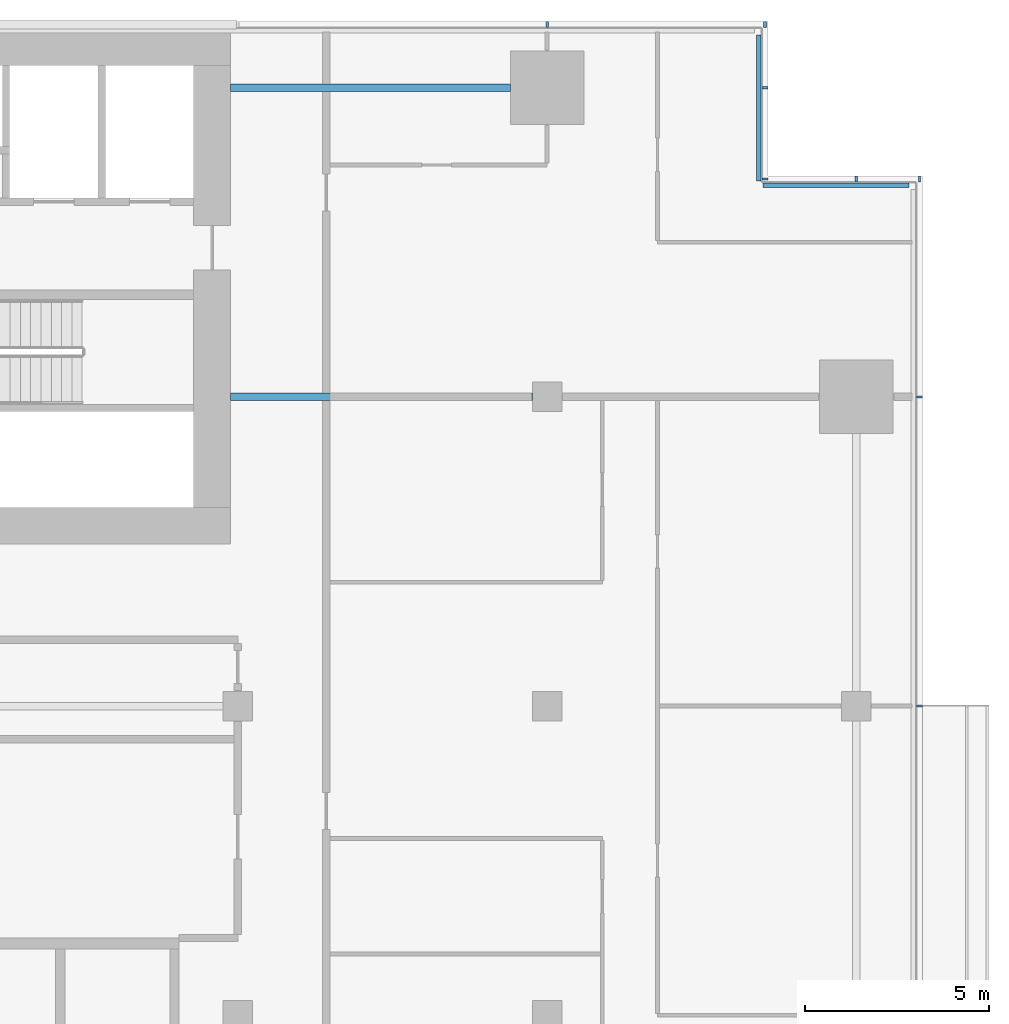
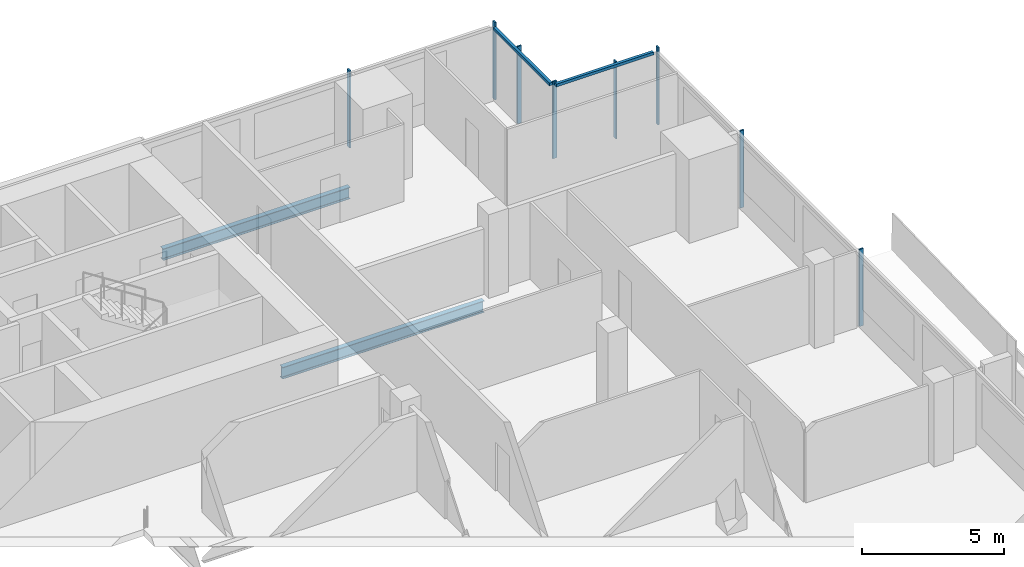
# One storey, part 14 of 27: 10 members, 2 beams, 4 elements without a shape of their own.
"""IFC4 building model written with IfcOpenShell, lengths in metres."""

from ifc_helpers import new_model, si_unit, direction, frame, origin, origin_2d, place, context, subcontext, project, spatial, rectangle, i_section, extrude, material, material_profile, profile_set, type_object, element, aggregate, save


model = new_model("IFC4")

# Units and contexts
model_context = context("Model", 3, precision=1e-05, world=origin(), true_north=direction((0.0, 1.0)))
body_context = subcontext(model_context, "Body", "Model", "MODEL_VIEW")
ifc_project = project(units=[si_unit("LENGTHUNIT", "METRE"), si_unit("AREAUNIT", "SQUARE_METRE"), si_unit("VOLUMEUNIT", "CUBIC_METRE"), si_unit("PLANEANGLEUNIT", "RADIAN"), si_unit("MASSUNIT", "GRAM", prefix="KILO")], contexts=[model_context])

# Site, building, storey
site_placement = place(None, origin())
site = spatial("IfcSite", under=ifc_project, at=site_placement, CompositionType="ELEMENT")
building_placement = place(site_placement, origin())
building = spatial("IfcBuilding", under=site, at=building_placement, Name="Saffron Gate Tower", CompositionType="ELEMENT")
storey_placement = place(building_placement, frame((0.0, 0.0, 109.64990234375)))
storey = spatial("IfcBuildingStorey", under=building, at=storey_placement, Name="L25", CompositionType="ELEMENT", Elevation=109.64990234375)

# Beams
ifc_material_1 = material(Name="Structural steel S355", Category="steel")
ifc_material_profile_1 = material_profile(ifc_material_1, i_section(OverallWidth=0.199951171875, OverallDepth=0.5, WebThickness=0.01025390625, FlangeThickness=0.01611328125, FilletRadius=0.02099609375, at=origin_2d()))
ifc_profile_set_1 = profile_set([ifc_material_profile_1], Name="Structural steel S355")
beam_type = type_object("IfcBeamType", Name="B10 IPE 500", PredefinedType="BEAM", material=ifc_profile_set_1)
beam_1_placement = place(storey_placement, frame((116.60009765625, 65.39990234375, -0.52978515625), z_axis=(-1.0, 0.0, 0.0), x_axis=(0.0, -1.0, 0.0)))
element("IfcBeam", 1, at=beam_1_placement, inside=storey, type_object=beam_type, Name="B10 CORE TIE BEAM", PredefinedType="BEAM", context=body_context, shape_type="SweptSolid", body=[
    extrude(i_section(OverallWidth=0.199951171875, OverallDepth=0.5, WebThickness=0.01025390625, FlangeThickness=0.01611328125, FilletRadius=0.02099609375, at=origin_2d()), origin(), (0.0, 0.0, 1.0), 8.2001953125),
])
beam_2_placement = place(storey_placement, frame((116.0, 73.800048828125, -0.52978515625), z_axis=(-1.0, 0.0, 0.0), x_axis=(0.0, -1.0, 0.0)))
element("IfcBeam", 2, at=beam_2_placement, inside=storey, type_object=beam_type, Name="B10 CORE TIE BEAM", PredefinedType="BEAM", context=body_context, shape_type="SweptSolid", body=[
    extrude(i_section(OverallWidth=0.199951171875, OverallDepth=0.5, WebThickness=0.01025390625, FlangeThickness=0.01611328125, FilletRadius=0.02099609375, at=origin_2d()), origin(), (0.0, 0.0, 1.0), 7.60009765625),
])

# Curtain wall, members
ifc_material_2 = material(Name="Aluminium, bronze anodised", Category="aluminium")
curtain_wall_type_1 = type_object("IfcCurtainWallType", Name="CWS2 curtain wall side facades", PredefinedType="NOTDEFINED", material=ifc_material_2)
curtain_wall_1_placement = place(storey_placement, origin())
curtain_wall_1 = element("IfcCurtainWall", 3, at=curtain_wall_1_placement, inside=storey, type_object=curtain_wall_type_1, Name="CWS2 run 4", PredefinedType="NOTDEFINED")
ifc_material_profile_2 = material_profile(ifc_material_2, rectangle(XDim=0.159912109375, YDim=0.06005859375, at=origin_2d()))
ifc_profile_set_2 = profile_set([ifc_material_profile_2], Name="Aluminium, bronze anodised")
member_type_1 = type_object("IfcMemberType", Name="CWS2 mullion 60x160", PredefinedType="MULLION", material=ifc_profile_set_2)
member_1_placement = place(storey_placement, frame((127.1201171875, 57.0, 0.0), z_axis=(0.0, 0.0, 1.0), x_axis=(-1.0, 0.0, 0.0)))
member_1 = element("IfcMember", 4, at=member_1_placement, type_object=member_type_1, Name="CWS2 mullion 4", PredefinedType="MULLION", context=body_context, shape_type="SweptSolid", body=[
    extrude(rectangle(XDim=0.159912109375, YDim=0.06005859375, at=origin_2d()), origin(), (0.0, 0.0, 1.0), 3.320068359375),
])
member_2_placement = place(storey_placement, frame((127.1201171875, 65.39990234375, 0.0), z_axis=(0.0, 0.0, 1.0), x_axis=(-1.0, 0.0, 0.0)))
member_2 = element("IfcMember", 5, at=member_2_placement, type_object=member_type_1, Name="CWS2 mullion 5", PredefinedType="MULLION", context=body_context, shape_type="SweptSolid", body=[
    extrude(rectangle(XDim=0.159912109375, YDim=0.06005859375, at=origin_2d()), origin(), (0.0, 0.0, 1.0), 3.320068359375),
])
aggregate(curtain_wall_1, [member_1, member_2])

curtain_wall_type_2 = type_object("IfcCurtainWallType", Name="CWS3 curtain wall rear facade", PredefinedType="NOTDEFINED", material=ifc_material_2)
curtain_wall_2_placement = place(storey_placement, origin())
curtain_wall_2 = element("IfcCurtainWall", 6, at=curtain_wall_2_placement, inside=storey, type_object=curtain_wall_type_2, Name="CWS3 run 7", PredefinedType="NOTDEFINED")
ifc_material_profile_3 = material_profile(ifc_material_2, rectangle(XDim=0.159912109375, YDim=0.070068359375, at=origin_2d()))
ifc_profile_set_3 = profile_set([ifc_material_profile_3], Name="Aluminium, bronze anodised")
member_type_2 = type_object("IfcMemberType", Name="CWS3 mullion 70x160", PredefinedType="MULLION", material=ifc_profile_set_3)
member_3_placement = place(storey_placement, frame((122.919921875, 75.52001953125, 0.0), z_axis=(0.0, 0.0, 1.0), x_axis=(0.0, -1.0, 0.0)))
member_3 = element("IfcMember", 7, at=member_3_placement, type_object=member_type_2, Name="CWS3 mullion 1", PredefinedType="MULLION", context=body_context, shape_type="SweptSolid", body=[
    extrude(rectangle(XDim=0.159912109375, YDim=0.070068359375, at=origin_2d()), origin(), (0.0, 0.0, 1.0), 3.320068359375),
])
member_4_placement = place(storey_placement, frame((117.0, 75.52001953125, 0.0), z_axis=(0.0, 0.0, 1.0), x_axis=(0.0, -1.0, 0.0)))
member_4 = element("IfcMember", 8, at=member_4_placement, type_object=member_type_2, Name="CWS3 mullion 2", PredefinedType="MULLION", context=body_context, shape_type="SweptSolid", body=[
    extrude(rectangle(XDim=0.159912109375, YDim=0.070068359375, at=origin_2d()), origin(), (0.0, 0.0, 1.0), 3.320068359375),
])
aggregate(curtain_wall_2, [member_3, member_4])

# Curtain wall, member
curtain_wall_type_3 = type_object("IfcCurtainWallType", Name="CWS4 curtain wall corner returns", PredefinedType="NOTDEFINED", material=ifc_material_2)
curtain_wall_3_placement = place(storey_placement, origin())
curtain_wall_3 = element("IfcCurtainWall", 9, at=curtain_wall_3_placement, inside=storey, type_object=curtain_wall_type_3, Name="CWS4 run 5", PredefinedType="NOTDEFINED")
ifc_material_profile_4 = material_profile(ifc_material_2, rectangle(XDim=0.1201171875, YDim=0.1201171875, at=origin_2d()))
ifc_profile_set_4 = profile_set([ifc_material_profile_4], Name="Aluminium, bronze anodised")
member_type_3 = type_object("IfcMemberType", Name="CWS4 head transom", PredefinedType="USERDEFINED", material=ifc_profile_set_4)
member_5_placement = place(storey_placement, frame((126.83203125, 71.152099609375, 3.260009765625), z_axis=(-1.0, 0.0, 0.0), x_axis=(0.0, -1.0, 0.0)))
member_5 = element("IfcMember", 10, at=member_5_placement, type_object=member_type_3, Name="CWS4 head transom", ObjectType="TRANSOM", PredefinedType="USERDEFINED", context=body_context, shape_type="SweptSolid", body=[
    extrude(rectangle(XDim=0.1201171875, YDim=0.1201171875, at=origin_2d()), origin(), (0.0, 0.0, 1.0), 3.9599609375),
])

curtain_wall_4_placement = place(storey_placement, origin())
curtain_wall_4 = element("IfcCurtainWall", 11, at=curtain_wall_4_placement, inside=storey, type_object=curtain_wall_type_3, Name="CWS4 run 6", PredefinedType="NOTDEFINED")
member_6_placement = place(storey_placement, frame((122.751953125, 71.27197265625, 3.260009765625), z_axis=(0.0, 1.0, 0.0), x_axis=(-1.0, 0.0, 0.0)))
member_6 = element("IfcMember", 12, at=member_6_placement, type_object=member_type_3, Name="CWS4 head transom", ObjectType="TRANSOM", PredefinedType="USERDEFINED", context=body_context, shape_type="SweptSolid", body=[
    extrude(rectangle(XDim=0.1201171875, YDim=0.1201171875, at=origin_2d()), origin(), (0.0, 0.0, 1.0), 3.9599609375),
])

# Member
ifc_material_profile_5 = material_profile(ifc_material_2, rectangle(XDim=0.159912109375, YDim=0.06005859375, at=origin_2d()))
ifc_profile_set_5 = profile_set([ifc_material_profile_5], Name="Aluminium, bronze anodised")
member_type_4 = type_object("IfcMemberType", Name="CWS4 mullion 60x160", PredefinedType="MULLION", material=ifc_profile_set_5)
member_7_placement = place(storey_placement, frame((127.1201171875, 71.320068359375, 0.0), z_axis=(0.0, 0.0, 1.0), x_axis=(0.0, -1.0, 0.0)))
member_7 = element("IfcMember", 13, at=member_7_placement, type_object=member_type_4, Name="CWS4 mullion 1", PredefinedType="MULLION", context=body_context, shape_type="SweptSolid", body=[
    extrude(rectangle(XDim=0.159912109375, YDim=0.06005859375, at=origin_2d()), origin(), (0.0, 0.0, 1.0), 3.320068359375),
])

member_8_placement = place(storey_placement, frame((125.39990234375, 71.320068359375, 0.0), z_axis=(0.0, 0.0, 1.0), x_axis=(0.0, -1.0, 0.0)))
member_8 = element("IfcMember", 14, at=member_8_placement, type_object=member_type_4, Name="CWS4 mullion 2", PredefinedType="MULLION", context=body_context, shape_type="SweptSolid", body=[
    extrude(rectangle(XDim=0.159912109375, YDim=0.06005859375, at=origin_2d()), origin(), (0.0, 0.0, 1.0), 3.320068359375),
])

aggregate(curtain_wall_3, [member_7, member_8, member_5])

member_9_placement = place(storey_placement, frame((122.919921875, 71.320068359375, 0.0), z_axis=(0.0, 0.0, 1.0), x_axis=(-1.0, 0.0, 0.0)))
member_9 = element("IfcMember", 15, at=member_9_placement, type_object=member_type_4, Name="CWS4 mullion 1", PredefinedType="MULLION", context=body_context, shape_type="SweptSolid", body=[
    extrude(rectangle(XDim=0.159912109375, YDim=0.06005859375, at=origin_2d()), origin(), (0.0, 0.0, 1.0), 3.320068359375),
])

member_10_placement = place(storey_placement, frame((122.919921875, 73.800048828125, 0.0), z_axis=(0.0, 0.0, 1.0), x_axis=(-1.0, 0.0, 0.0)))
member_10 = element("IfcMember", 16, at=member_10_placement, type_object=member_type_4, Name="CWS4 mullion 2", PredefinedType="MULLION", context=body_context, shape_type="SweptSolid", body=[
    extrude(rectangle(XDim=0.159912109375, YDim=0.06005859375, at=origin_2d()), origin(), (0.0, 0.0, 1.0), 3.320068359375),
])

aggregate(curtain_wall_4, [member_9, member_10, member_6])

save(model, "model.ifc")
